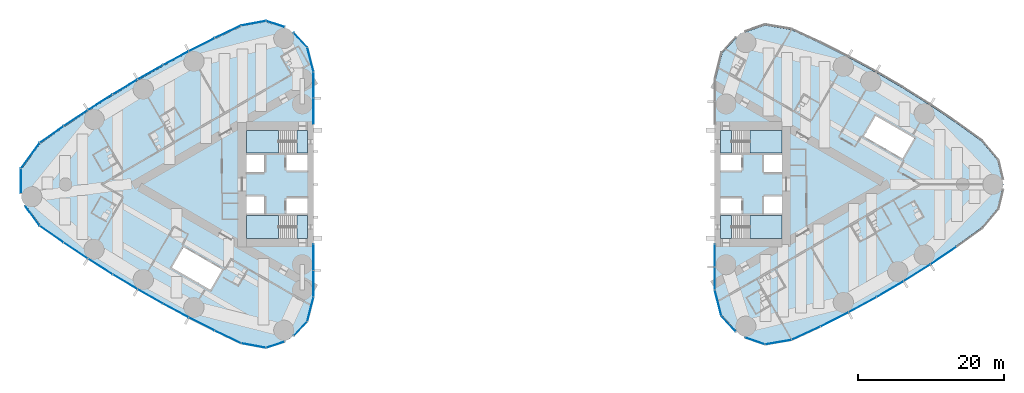
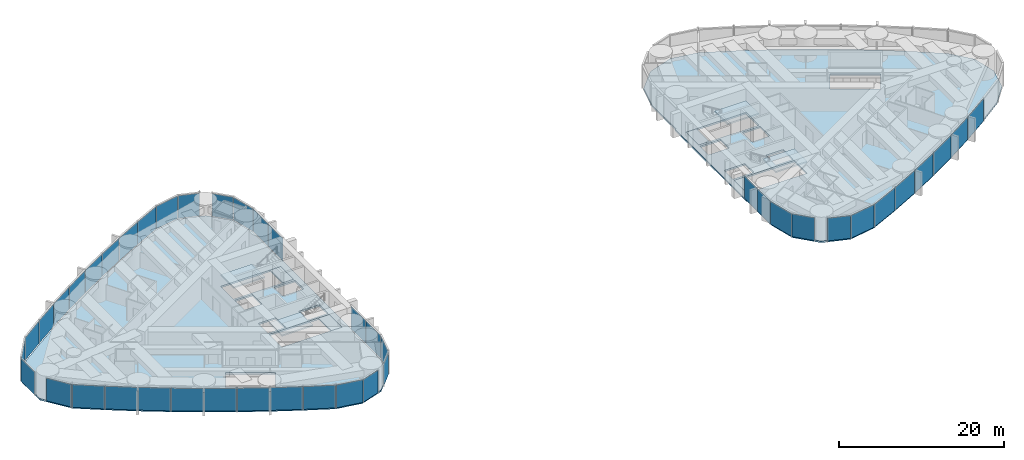
# One storey, part 10 of 19: 43 plates, 10 slabs, 10 elements without a shape of their own.
"""IFC4 building model written with IfcOpenShell, lengths in metres."""

from ifc_helpers import new_model, si_unit, direction, frame, origin, origin_2d, place, context, subcontext, project, spatial, polyline, rectangle, outline, extrude, material, layer, layer_set, type_object, element, aggregate, save


model = new_model("IFC4")

# Units and contexts
model_context = context("Model", 3, precision=1e-05, world=origin(), true_north=direction((0.0, 1.0)))
body_context = subcontext(model_context, "Body", "Model", "MODEL_VIEW")
ifc_project = project(units=[si_unit("LENGTHUNIT", "METRE"), si_unit("AREAUNIT", "SQUARE_METRE"), si_unit("VOLUMEUNIT", "CUBIC_METRE"), si_unit("PLANEANGLEUNIT", "RADIAN"), si_unit("MASSUNIT", "GRAM", prefix="KILO")], contexts=[model_context])

# Site, building, storey
site_placement = place(None, origin())
site = spatial("IfcSite", under=ifc_project, at=site_placement, CompositionType="ELEMENT")
building_placement = place(site_placement, origin())
building = spatial("IfcBuilding", under=site, at=building_placement, Name="Lancet Gate Hotel", CompositionType="ELEMENT")
storey_placement = place(building_placement, frame((0.0, 0.0, 177.300048828125)))
storey = spatial("IfcBuildingStorey", under=building, at=storey_placement, Name="L47", CompositionType="ELEMENT", Elevation=177.300048828125)

# Slabs
ifc_material_1 = material(Name="Concrete C50/60", Category="concrete")
ifc_layer_1 = layer(ifc_material_1, 0.25)
ifc_layer_set_1 = layer_set([ifc_layer_1], Name="Floor slab 250")
slab_type_1 = type_object("IfcSlabType", Name="Floor slab 250", PredefinedType="FLOOR", material=ifc_layer_set_1)
slab_1_placement = place(storey_placement, frame((0.0, 0.0, -0.25)))
element("IfcSlab", 1, at=slab_1_placement, inside=storey, type_object=slab_type_1, Name="T1 L47 floor slab", PredefinedType="FLOOR", context=body_context, shape_type="SweptSolid", body=[
    extrude(outline(polyline([(-27.5, 8.60009765625), (-27.6201171875, 8.60009765625), (-27.6201171875, 15.408203125), (-28.46923828125, 18.7265625), (-30.797607421875, 21.217529296875), (-34.0361328125, 22.283935546875), (-37.403564453125, 21.660400390625), (-40.996826171875, 19.9453125), (-44.561767578125, 18.139404296875), (-48.0830078125, 16.250244140625), (-51.558837890625, 14.27880859375), (-54.987548828125, 12.22607421875), (-58.366943359375, 10.09326171875), (-61.695068359375, 7.881591796875), (-64.955322265625, 5.602783203125), (-67.49560546875, 2.138427734375), (-67.49560546875, -2.138427734375), (-64.955322265625, -5.602783203125), (-61.695068359375, -7.881591796875), (-58.366943359375, -10.09326171875), (-54.987548828125, -12.22607421875), (-51.558837890625, -14.27880859375), (-48.0830078125, -16.250244140625), (-44.561767578125, -18.139404296875), (-40.996826171875, -19.9453125), (-37.403564453125, -21.660400390625), (-34.0361328125, -22.283935546875), (-30.797607421875, -21.217529296875), (-28.46923828125, -18.7265625), (-27.6201171875, -15.408203125), (-27.6201171875, -8.60009765625), (-27.5, -8.60009765625), (-27.5, -8.199951171875), (-27.5, 8.199951171875), (-27.5, 8.60009765625)]), holes=[polyline([(-36.699951171875, 7.39990234375), (-36.699951171875, 4.300048828125), (-28.300048828125, 4.300048828125), (-28.300048828125, 7.39990234375), (-36.699951171875, 7.39990234375)]), polyline([(-28.300048828125, 4.0), (-31.199951171875, 4.0), (-31.199951171875, 1.89990234375), (-28.300048828125, 1.89990234375), (-28.300048828125, 4.0)]), polyline([(-34.25, 4.0), (-36.699951171875, 4.0), (-36.699951171875, 1.64990234375), (-34.25, 1.64990234375), (-34.25, 4.0)]), polyline([(-36.699951171875, -1.64990234375), (-36.699951171875, -4.0), (-34.25, -4.0), (-34.25, -1.64990234375), (-36.699951171875, -1.64990234375)]), polyline([(-28.300048828125, -1.89990234375), (-31.199951171875, -1.89990234375), (-31.199951171875, -4.0), (-28.300048828125, -4.0), (-28.300048828125, -1.89990234375)]), polyline([(-28.300048828125, -4.300048828125), (-36.699951171875, -4.300048828125), (-36.699951171875, -7.39990234375), (-28.300048828125, -7.39990234375), (-28.300048828125, -4.300048828125)]), polyline([(-45.319091796875, -8.631103515625), (-46.9189453125, -11.402099609375), (-41.635986328125, -14.451904296875), (-40.035888671875, -11.680908203125), (-45.319091796875, -8.631103515625)])]), origin(), (0.0, 0.0, 1.0), 0.25),
])
slab_2_placement = place(storey_placement, frame((0.0, 0.0, -0.25)))
element("IfcSlab", 2, at=slab_2_placement, inside=storey, type_object=slab_type_1, Name="T2 L47 floor slab", PredefinedType="FLOOR", context=body_context, shape_type="SweptSolid", body=[
    extrude(outline(polyline([(27.5, -8.60009765625), (27.6201171875, -8.60009765625), (27.6201171875, -14.450439453125), (28.517822265625, -17.9853515625), (30.98291015625, -20.65185546875), (34.421875, -21.819091796875), (38.01513671875, -21.201171875), (41.9296875, -19.383056640625), (45.796875, -17.435302734375), (49.6005859375, -15.36572265625), (53.336669921875, -13.1767578125), (57.00146484375, -10.87060546875), (60.591552734375, -8.44921875), (64.092041015625, -5.9228515625), (66.283447265625, -3.307373046875), (67.06640625, 0.0), (66.283447265625, 3.307373046875), (64.092041015625, 5.9228515625), (60.591552734375, 8.44921875), (57.00146484375, 10.87060546875), (53.336669921875, 13.1767578125), (49.6005859375, 15.36572265625), (45.796875, 17.435302734375), (41.9296875, 19.383056640625), (38.01513671875, 21.201171875), (34.421875, 21.819091796875), (30.98291015625, 20.65185546875), (28.517822265625, 17.9853515625), (27.6201171875, 14.450439453125), (27.6201171875, 8.60009765625), (27.5, 8.60009765625), (27.5, 8.199951171875), (27.5, -8.199951171875), (27.5, -8.60009765625)]), holes=[polyline([(36.699951171875, -7.39990234375), (36.699951171875, -4.300048828125), (28.300048828125, -4.300048828125), (28.300048828125, -7.39990234375), (36.699951171875, -7.39990234375)]), polyline([(28.300048828125, -4.0), (31.199951171875, -4.0), (31.199951171875, -1.89990234375), (28.300048828125, -1.89990234375), (28.300048828125, -4.0)]), polyline([(34.25, -4.0), (36.699951171875, -4.0), (36.699951171875, -1.64990234375), (34.25, -1.64990234375), (34.25, -4.0)]), polyline([(36.699951171875, 1.64990234375), (36.699951171875, 4.0), (34.25, 4.0), (34.25, 1.64990234375), (36.699951171875, 1.64990234375)]), polyline([(28.300048828125, 1.89990234375), (31.199951171875, 1.89990234375), (31.199951171875, 4.0), (28.300048828125, 4.0), (28.300048828125, 1.89990234375)]), polyline([(28.300048828125, 4.300048828125), (36.699951171875, 4.300048828125), (36.699951171875, 7.39990234375), (28.300048828125, 7.39990234375), (28.300048828125, 4.300048828125)]), polyline([(53.242919921875, 3.555908203125), (54.843017578125, 6.326904296875), (49.56103515625, 9.376953125), (47.9609375, 6.60595703125), (53.242919921875, 3.555908203125)])]), origin(), (0.0, 0.0, 1.0), 0.25),
])

# Stair, slabs
ifc_material_2 = material(Name="Exit stair 20 risers 1500")
stair_type = type_object("IfcStairType", Name="Exit stair 20 risers 1500", PredefinedType="HALF_TURN_STAIR", material=ifc_material_2)
stair_1_placement = place(storey_placement, origin())
stair_1 = element("IfcStair", 3, at=stair_1_placement, inside=storey, type_object=stair_type, Name="T1 stair 1 L47", PredefinedType="HALF_TURN_STAIR")
ifc_material_3 = material(Name="Concrete C40/50", Category="concrete")
ifc_layer_2 = layer(ifc_material_3, 0.199951171875)
ifc_layer_set_2 = layer_set([ifc_layer_2], Name="Stair landing 200")
slab_type_2 = type_object("IfcSlabType", Name="Stair landing 200", PredefinedType="LANDING", material=ifc_layer_set_2)
slab_3_placement = place(storey_placement, frame((0.0, 0.0, -0.199951171875)))
slab_3 = element("IfcSlab", 4, at=slab_3_placement, type_object=slab_type_2, Name="ST1 landing 1", PredefinedType="LANDING", context=body_context, shape_type="SweptSolid", body=[
    extrude(outline(polyline([(-28.300048828125, 7.39990234375), (-29.800048828125, 7.39990234375), (-29.800048828125, 4.300048828125), (-28.300048828125, 4.300048828125), (-28.300048828125, 7.39990234375)])), origin(), (0.0, 0.0, 1.0), 0.199951171875),
])
slab_4_placement = place(storey_placement, frame((0.0, 0.0, 1.550048828125)))
slab_4 = element("IfcSlab", 5, at=slab_4_placement, type_object=slab_type_2, Name="ST1 landing 2", PredefinedType="LANDING", context=body_context, shape_type="SweptSolid", body=[
    extrude(outline(polyline([(-32.320068359375, 7.39990234375), (-36.699951171875, 7.39990234375), (-36.699951171875, 4.300048828125), (-32.320068359375, 4.300048828125), (-32.320068359375, 7.39990234375)])), origin(), (0.0, 0.0, 1.0), 0.199951171875),
])
aggregate(stair_1, [slab_3, slab_4])

stair_2_placement = place(storey_placement, origin())
stair_2 = element("IfcStair", 6, at=stair_2_placement, inside=storey, type_object=stair_type, Name="T1 stair 2 L47", PredefinedType="HALF_TURN_STAIR")
slab_5_placement = place(storey_placement, frame((0.0, 0.0, -0.199951171875)))
slab_5 = element("IfcSlab", 7, at=slab_5_placement, type_object=slab_type_2, Name="ST2 landing 1", PredefinedType="LANDING", context=body_context, shape_type="SweptSolid", body=[
    extrude(outline(polyline([(-28.300048828125, -4.300048828125), (-29.800048828125, -4.300048828125), (-29.800048828125, -7.39990234375), (-28.300048828125, -7.39990234375), (-28.300048828125, -4.300048828125)])), origin(), (0.0, 0.0, 1.0), 0.199951171875),
])
slab_6_placement = place(storey_placement, frame((0.0, 0.0, 1.550048828125)))
slab_6 = element("IfcSlab", 8, at=slab_6_placement, type_object=slab_type_2, Name="ST2 landing 2", PredefinedType="LANDING", context=body_context, shape_type="SweptSolid", body=[
    extrude(outline(polyline([(-32.320068359375, -4.300048828125), (-36.699951171875, -4.300048828125), (-36.699951171875, -7.39990234375), (-32.320068359375, -7.39990234375), (-32.320068359375, -4.300048828125)])), origin(), (0.0, 0.0, 1.0), 0.199951171875),
])
aggregate(stair_2, [slab_5, slab_6])

stair_3_placement = place(storey_placement, origin())
stair_3 = element("IfcStair", 9, at=stair_3_placement, inside=storey, type_object=stair_type, Name="T2 stair 1 L47", PredefinedType="HALF_TURN_STAIR")
slab_7_placement = place(storey_placement, frame((0.0, 0.0, -0.199951171875)))
slab_7 = element("IfcSlab", 10, at=slab_7_placement, type_object=slab_type_2, Name="ST3 landing 1", PredefinedType="LANDING", context=body_context, shape_type="SweptSolid", body=[
    extrude(outline(polyline([(28.300048828125, -7.39990234375), (29.800048828125, -7.39990234375), (29.800048828125, -4.300048828125), (28.300048828125, -4.300048828125), (28.300048828125, -7.39990234375)])), origin(), (0.0, 0.0, 1.0), 0.199951171875),
])
slab_8_placement = place(storey_placement, frame((0.0, 0.0, 1.550048828125)))
slab_8 = element("IfcSlab", 11, at=slab_8_placement, type_object=slab_type_2, Name="ST3 landing 2", PredefinedType="LANDING", context=body_context, shape_type="SweptSolid", body=[
    extrude(outline(polyline([(32.320068359375, -7.39990234375), (36.699951171875, -7.39990234375), (36.699951171875, -4.300048828125), (32.320068359375, -4.300048828125), (32.320068359375, -7.39990234375)])), origin(), (0.0, 0.0, 1.0), 0.199951171875),
])
aggregate(stair_3, [slab_7, slab_8])

stair_4_placement = place(storey_placement, origin())
stair_4 = element("IfcStair", 12, at=stair_4_placement, inside=storey, type_object=stair_type, Name="T2 stair 2 L47", PredefinedType="HALF_TURN_STAIR")
slab_9_placement = place(storey_placement, frame((0.0, 0.0, -0.199951171875)))
slab_9 = element("IfcSlab", 13, at=slab_9_placement, type_object=slab_type_2, Name="ST4 landing 1", PredefinedType="LANDING", context=body_context, shape_type="SweptSolid", body=[
    extrude(outline(polyline([(28.300048828125, 4.300048828125), (29.800048828125, 4.300048828125), (29.800048828125, 7.39990234375), (28.300048828125, 7.39990234375), (28.300048828125, 4.300048828125)])), origin(), (0.0, 0.0, 1.0), 0.199951171875),
])
slab_10_placement = place(storey_placement, frame((0.0, 0.0, 1.550048828125)))
slab_10 = element("IfcSlab", 14, at=slab_10_placement, type_object=slab_type_2, Name="ST4 landing 2", PredefinedType="LANDING", context=body_context, shape_type="SweptSolid", body=[
    extrude(outline(polyline([(32.320068359375, 4.300048828125), (36.699951171875, 4.300048828125), (36.699951171875, 7.39990234375), (32.320068359375, 7.39990234375), (32.320068359375, 4.300048828125)])), origin(), (0.0, 0.0, 1.0), 0.199951171875),
])
aggregate(stair_4, [slab_9, slab_10])

# Curtain wall, plates
ifc_material_4 = material(Name="Aluminium curtain wall", Category="aluminium")
curtain_wall_type = type_object("IfcCurtainWallType", Name="Tower unitised curtain wall", PredefinedType="USERDEFINED", material=ifc_material_4)
curtain_wall_1_placement = place(storey_placement, origin())
curtain_wall_1 = element("IfcCurtainWall", 15, at=curtain_wall_1_placement, inside=storey, type_object=curtain_wall_type, Name="T1 L47 curtain wall 1", ObjectType="UNITISED CURTAIN WALL", PredefinedType="USERDEFINED")
ifc_material_5 = material(Name="Glass double glazed unit 8-16-6", Category="glass")
ifc_layer_3 = layer(ifc_material_5, 0.030029296875)
ifc_layer_set_3 = layer_set([ifc_layer_3], Name="Vision panel double glazed")
plate_type = type_object("IfcPlateType", Name="Vision panel double glazed", PredefinedType="CURTAIN_PANEL", material=ifc_layer_set_3)
plate_1_placement = place(storey_placement, frame((-27.5, 10.005859375, 0.0), z_axis=(0.0, 0.0, 1.0), x_axis=(0.0, 1.0, 0.0)))
plate_1 = element("IfcPlate", 16, at=plate_1_placement, type_object=plate_type, Name="T1 L47 curtain wall 1 panel 1", PredefinedType="CURTAIN_PANEL", context=body_context, shape_type="SweptSolid", body=[
    extrude(rectangle(XDim=3.546630859375, YDim=0.030029296875, at=origin_2d()), origin(), (0.0, 0.0, 1.0), 3.35009765625),
])
plate_2_placement = place(storey_placement, frame((-27.5, 13.617431640625, 0.0), z_axis=(0.0, 0.0, 1.0), x_axis=(0.0, 1.0, 0.0)))
plate_2 = element("IfcPlate", 17, at=plate_2_placement, type_object=plate_type, Name="T1 L47 curtain wall 1 panel 2", PredefinedType="CURTAIN_PANEL", context=body_context, shape_type="SweptSolid", body=[
    extrude(rectangle(XDim=3.546630859375, YDim=0.030029296875, at=origin_2d()), origin(), (0.0, 0.0, 1.0), 3.35009765625),
])
plate_3_placement = place(storey_placement, frame((-27.930419921875, 17.104736328125, 0.0), z_axis=(0.0, 0.0, 1.0), x_axis=(-0.247936754654, 0.968776220647, 0.0)))
plate_3 = element("IfcPlate", 18, at=plate_3_placement, type_object=plate_type, Name="T1 L47 curtain wall 1 panel 3", PredefinedType="CURTAIN_PANEL", context=body_context, shape_type="SweptSolid", body=[
    extrude(rectangle(XDim=3.406005859375, YDim=0.030029296875, at=origin_2d()), origin(), (0.0, 0.0, 1.0), 3.35009765625),
])
plate_4_placement = place(storey_placement, frame((-29.28564453125, 19.77587890625, 0.0), z_axis=(0.0, 0.0, 1.0), x_axis=(-0.682844962172, 0.730563315282, 0.0)))
plate_4 = element("IfcPlate", 19, at=plate_4_placement, type_object=plate_type, Name="T1 L47 curtain wall 1 panel 4", PredefinedType="CURTAIN_PANEL", context=body_context, shape_type="SweptSolid", body=[
    extrude(rectangle(XDim=2.64453125, YDim=0.030029296875, at=origin_2d()), origin(), (0.0, 0.0, 1.0), 3.35009765625),
])
aggregate(curtain_wall_1, [plate_1, plate_2, plate_3, plate_4])

curtain_wall_2_placement = place(storey_placement, origin())
curtain_wall_2 = element("IfcCurtainWall", 20, at=curtain_wall_2_placement, inside=storey, type_object=curtain_wall_type, Name="T1 L47 curtain wall 2", ObjectType="UNITISED CURTAIN WALL", PredefinedType="USERDEFINED")
plate_5_placement = place(storey_placement, frame((-32.740234375, 21.983642578125, 0.0), z_axis=(0.0, 0.0, 1.0), x_axis=(-0.949848055084, 0.312711803827, 0.0)))
plate_5 = element("IfcPlate", 21, at=plate_5_placement, type_object=plate_type, Name="T1 L47 curtain wall 2 panel 1", PredefinedType="CURTAIN_PANEL", context=body_context, shape_type="SweptSolid", body=[
    extrude(rectangle(XDim=2.64599609375, YDim=0.030029296875, at=origin_2d()), origin(), (0.0, 0.0, 1.0), 3.35009765625),
])
plate_6_placement = place(storey_placement, frame((-35.734375, 22.091552734375, 0.0), z_axis=(0.0, 0.0, 1.0), x_axis=(-0.983292499426, -0.182032581075, 0.0)))
plate_6 = element("IfcPlate", 22, at=plate_6_placement, type_object=plate_type, Name="T1 L47 curtain wall 2 panel 2", PredefinedType="CURTAIN_PANEL", context=body_context, shape_type="SweptSolid", body=[
    extrude(rectangle(XDim=3.406005859375, YDim=0.030029296875, at=origin_2d()), origin(), (0.0, 0.0, 1.0), 3.35009765625),
])
plate_7_placement = place(storey_placement, frame((-39.245361328125, 20.914306640625, 0.0), z_axis=(0.0, 0.0, 1.0), x_axis=(-0.902453530018, -0.430787216799, 0.0)))
plate_7 = element("IfcPlate", 23, at=plate_7_placement, type_object=plate_type, Name="T1 L47 curtain wall 2 panel 3", PredefinedType="CURTAIN_PANEL", context=body_context, shape_type="SweptSolid", body=[
    extrude(rectangle(XDim=3.933837890625, YDim=0.030029296875, at=origin_2d()), origin(), (0.0, 0.0, 1.0), 3.35009765625),
])
plate_8_placement = place(storey_placement, frame((-42.83349609375, 19.1494140625, 0.0), z_axis=(0.0, 0.0, 1.0), x_axis=(-0.892071119911, -0.451895028762, 0.0)))
plate_8 = element("IfcPlate", 24, at=plate_8_placement, type_object=plate_type, Name="T1 L47 curtain wall 2 panel 4", PredefinedType="CURTAIN_PANEL", context=body_context, shape_type="SweptSolid", body=[
    extrude(rectangle(XDim=3.933837890625, YDim=0.030029296875, at=origin_2d()), origin(), (0.0, 0.0, 1.0), 3.35009765625),
])
plate_9_placement = place(storey_placement, frame((-46.379150390625, 17.300537109375, 0.0), z_axis=(0.0, 0.0, 1.0), x_axis=(-0.881195096384, -0.472752791751, 0.0)))
plate_9 = element("IfcPlate", 25, at=plate_9_placement, type_object=plate_type, Name="T1 L47 curtain wall 2 panel 5", PredefinedType="CURTAIN_PANEL", context=body_context, shape_type="SweptSolid", body=[
    extrude(rectangle(XDim=3.933837890625, YDim=0.030029296875, at=origin_2d()), origin(), (0.0, 0.0, 1.0), 3.35009765625),
])
plate_10_placement = place(storey_placement, frame((-49.880126953125, 15.368896484375, 0.0), z_axis=(0.0, 0.0, 1.0), x_axis=(-0.869831477496, -0.493348964484, 0.0)))
plate_10 = element("IfcPlate", 26, at=plate_10_placement, type_object=plate_type, Name="T1 L47 curtain wall 2 panel 6", PredefinedType="CURTAIN_PANEL", context=body_context, shape_type="SweptSolid", body=[
    extrude(rectangle(XDim=3.933837890625, YDim=0.030029296875, at=origin_2d()), origin(), (0.0, 0.0, 1.0), 3.35009765625),
])
plate_11_placement = place(storey_placement, frame((-53.3349609375, 13.35546875, 0.0), z_axis=(0.0, 0.0, 1.0), x_axis=(-0.857986551132, -0.51367215038, 0.0)))
plate_11 = element("IfcPlate", 27, at=plate_11_placement, type_object=plate_type, Name="T1 L47 curtain wall 2 panel 7", PredefinedType="CURTAIN_PANEL", context=body_context, shape_type="SweptSolid", body=[
    extrude(rectangle(XDim=3.933837890625, YDim=0.030029296875, at=origin_2d()), origin(), (0.0, 0.0, 1.0), 3.35009765625),
])
plate_12_placement = place(storey_placement, frame((-56.7412109375, 11.26123046875, 0.0), z_axis=(0.0, 0.0, 1.0), x_axis=(-0.845666871497, -0.533711103925, 0.0)))
plate_12 = element("IfcPlate", 28, at=plate_12_placement, type_object=plate_type, Name="T1 L47 curtain wall 2 panel 8", PredefinedType="CURTAIN_PANEL", context=body_context, shape_type="SweptSolid", body=[
    extrude(rectangle(XDim=3.933837890625, YDim=0.030029296875, at=origin_2d()), origin(), (0.0, 0.0, 1.0), 3.35009765625),
])
plate_13_placement = place(storey_placement, frame((-60.097412109375, 9.08740234375, 0.0), z_axis=(0.0, 0.0, 1.0), x_axis=(-0.832879255498, -0.553454736867, 0.0)))
plate_13 = element("IfcPlate", 29, at=plate_13_placement, type_object=plate_type, Name="T1 L47 curtain wall 2 panel 9", PredefinedType="CURTAIN_PANEL", context=body_context, shape_type="SweptSolid", body=[
    extrude(rectangle(XDim=3.933837890625, YDim=0.030029296875, at=origin_2d()), origin(), (0.0, 0.0, 1.0), 3.35009765625),
])
plate_14_placement = place(storey_placement, frame((-63.401611328125, 6.835205078125, 0.0), z_axis=(0.0, 0.0, 1.0), x_axis=(-0.819630778943, -0.572892124409, 0.0)))
plate_14 = element("IfcPlate", 30, at=plate_14_placement, type_object=plate_type, Name="T1 L47 curtain wall 2 panel 10", PredefinedType="CURTAIN_PANEL", context=body_context, shape_type="SweptSolid", body=[
    extrude(rectangle(XDim=3.933837890625, YDim=0.030029296875, at=origin_2d()), origin(), (0.0, 0.0, 1.0), 3.35009765625),
])
plate_15_placement = place(storey_placement, frame((-66.328125, 3.933837890625, 0.0), z_axis=(0.0, 0.0, 1.0), x_axis=(-0.591299785592, -0.806451835858, 0.0)))
plate_15 = element("IfcPlate", 31, at=plate_15_placement, type_object=plate_type, Name="T1 L47 curtain wall 2 panel 11", PredefinedType="CURTAIN_PANEL", context=body_context, shape_type="SweptSolid", body=[
    extrude(rectangle(XDim=4.290283203125, YDim=0.030029296875, at=origin_2d()), origin(), (0.0, 0.0, 1.0), 3.35009765625),
])
plate_16_placement = place(storey_placement, frame((-67.61572265625, 0.478515625, 0.0), z_axis=(0.0, 0.0, 1.0), x_axis=(0.0, -1.0, 0.0)))
plate_16 = element("IfcPlate", 32, at=plate_16_placement, type_object=plate_type, Name="T1 L47 curtain wall 2 panel 12", PredefinedType="CURTAIN_PANEL", context=body_context, shape_type="SweptSolid", body=[
    extrude(rectangle(XDim=3.333251953125, YDim=0.030029296875, at=origin_2d()), origin(), (0.0, 0.0, 1.0), 3.35009765625),
])
aggregate(curtain_wall_2, [plate_5, plate_6, plate_7, plate_8, plate_9, plate_10, plate_11, plate_12, plate_13, plate_14, plate_15, plate_16])

curtain_wall_3_placement = place(storey_placement, origin())
curtain_wall_3 = element("IfcCurtainWall", 33, at=curtain_wall_3_placement, inside=storey, type_object=curtain_wall_type, Name="T1 L47 curtain wall 3", ObjectType="UNITISED CURTAIN WALL", PredefinedType="USERDEFINED")
plate_17_placement = place(storey_placement, frame((-66.04541015625, -4.3193359375, 0.0), z_axis=(0.0, 0.0, 1.0), x_axis=(0.591299785592, -0.806451835858, 0.0)))
plate_17 = element("IfcPlate", 34, at=plate_17_placement, type_object=plate_type, Name="T1 L47 curtain wall 3 panel 1", PredefinedType="CURTAIN_PANEL", context=body_context, shape_type="SweptSolid", body=[
    extrude(rectangle(XDim=3.334228515625, YDim=0.030029296875, at=origin_2d()), origin(), (0.0, 0.0, 1.0), 3.35009765625),
])
plate_18_placement = place(storey_placement, frame((-63.401611328125, -6.835205078125, 0.0), z_axis=(0.0, 0.0, 1.0), x_axis=(0.819630778943, -0.572892124409, 0.0)))
plate_18 = element("IfcPlate", 35, at=plate_18_placement, type_object=plate_type, Name="T1 L47 curtain wall 3 panel 2", PredefinedType="CURTAIN_PANEL", context=body_context, shape_type="SweptSolid", body=[
    extrude(rectangle(XDim=3.933837890625, YDim=0.030029296875, at=origin_2d()), origin(), (0.0, 0.0, 1.0), 3.35009765625),
])
plate_19_placement = place(storey_placement, frame((-60.097412109375, -9.08740234375, 0.0), z_axis=(0.0, 0.0, 1.0), x_axis=(0.832879255498, -0.553454736867, 0.0)))
plate_19 = element("IfcPlate", 36, at=plate_19_placement, type_object=plate_type, Name="T1 L47 curtain wall 3 panel 3", PredefinedType="CURTAIN_PANEL", context=body_context, shape_type="SweptSolid", body=[
    extrude(rectangle(XDim=3.933837890625, YDim=0.030029296875, at=origin_2d()), origin(), (0.0, 0.0, 1.0), 3.35009765625),
])
plate_20_placement = place(storey_placement, frame((-56.7412109375, -11.26123046875, 0.0), z_axis=(0.0, 0.0, 1.0), x_axis=(0.845666871497, -0.533711103925, 0.0)))
plate_20 = element("IfcPlate", 37, at=plate_20_placement, type_object=plate_type, Name="T1 L47 curtain wall 3 panel 4", PredefinedType="CURTAIN_PANEL", context=body_context, shape_type="SweptSolid", body=[
    extrude(rectangle(XDim=3.933837890625, YDim=0.030029296875, at=origin_2d()), origin(), (0.0, 0.0, 1.0), 3.35009765625),
])
plate_21_placement = place(storey_placement, frame((-53.3349609375, -13.35546875, 0.0), z_axis=(0.0, 0.0, 1.0), x_axis=(0.857986551132, -0.51367215038, 0.0)))
plate_21 = element("IfcPlate", 38, at=plate_21_placement, type_object=plate_type, Name="T1 L47 curtain wall 3 panel 5", PredefinedType="CURTAIN_PANEL", context=body_context, shape_type="SweptSolid", body=[
    extrude(rectangle(XDim=3.933837890625, YDim=0.030029296875, at=origin_2d()), origin(), (0.0, 0.0, 1.0), 3.35009765625),
])
plate_22_placement = place(storey_placement, frame((-49.880126953125, -15.368896484375, 0.0), z_axis=(0.0, 0.0, 1.0), x_axis=(0.869831477496, -0.493348964484, 0.0)))
plate_22 = element("IfcPlate", 39, at=plate_22_placement, type_object=plate_type, Name="T1 L47 curtain wall 3 panel 6", PredefinedType="CURTAIN_PANEL", context=body_context, shape_type="SweptSolid", body=[
    extrude(rectangle(XDim=3.933837890625, YDim=0.030029296875, at=origin_2d()), origin(), (0.0, 0.0, 1.0), 3.35009765625),
])
plate_23_placement = place(storey_placement, frame((-46.379150390625, -17.300537109375, 0.0), z_axis=(0.0, 0.0, 1.0), x_axis=(0.881195096384, -0.472752791751, 0.0)))
plate_23 = element("IfcPlate", 40, at=plate_23_placement, type_object=plate_type, Name="T1 L47 curtain wall 3 panel 7", PredefinedType="CURTAIN_PANEL", context=body_context, shape_type="SweptSolid", body=[
    extrude(rectangle(XDim=3.933837890625, YDim=0.030029296875, at=origin_2d()), origin(), (0.0, 0.0, 1.0), 3.35009765625),
])
plate_24_placement = place(storey_placement, frame((-42.83349609375, -19.1494140625, 0.0), z_axis=(0.0, 0.0, 1.0), x_axis=(0.892071119911, -0.451895028762, 0.0)))
plate_24 = element("IfcPlate", 41, at=plate_24_placement, type_object=plate_type, Name="T1 L47 curtain wall 3 panel 8", PredefinedType="CURTAIN_PANEL", context=body_context, shape_type="SweptSolid", body=[
    extrude(rectangle(XDim=3.933837890625, YDim=0.030029296875, at=origin_2d()), origin(), (0.0, 0.0, 1.0), 3.35009765625),
])
plate_25_placement = place(storey_placement, frame((-39.245361328125, -20.914306640625, 0.0), z_axis=(0.0, 0.0, 1.0), x_axis=(0.902453530018, -0.430787216799, 0.0)))
plate_25 = element("IfcPlate", 42, at=plate_25_placement, type_object=plate_type, Name="T1 L47 curtain wall 3 panel 9", PredefinedType="CURTAIN_PANEL", context=body_context, shape_type="SweptSolid", body=[
    extrude(rectangle(XDim=3.933837890625, YDim=0.030029296875, at=origin_2d()), origin(), (0.0, 0.0, 1.0), 3.35009765625),
])
plate_26_placement = place(storey_placement, frame((-35.734375, -22.091552734375, 0.0), z_axis=(0.0, 0.0, 1.0), x_axis=(0.983292499426, -0.182032581075, 0.0)))
plate_26 = element("IfcPlate", 43, at=plate_26_placement, type_object=plate_type, Name="T1 L47 curtain wall 3 panel 10", PredefinedType="CURTAIN_PANEL", context=body_context, shape_type="SweptSolid", body=[
    extrude(rectangle(XDim=3.406005859375, YDim=0.030029296875, at=origin_2d()), origin(), (0.0, 0.0, 1.0), 3.35009765625),
])
plate_27_placement = place(storey_placement, frame((-32.740234375, -21.983642578125, 0.0), z_axis=(0.0, 0.0, 1.0), x_axis=(0.949848055084, 0.312711803827, 0.0)))
plate_27 = element("IfcPlate", 44, at=plate_27_placement, type_object=plate_type, Name="T1 L47 curtain wall 3 panel 11", PredefinedType="CURTAIN_PANEL", context=body_context, shape_type="SweptSolid", body=[
    extrude(rectangle(XDim=2.64599609375, YDim=0.030029296875, at=origin_2d()), origin(), (0.0, 0.0, 1.0), 3.35009765625),
])
aggregate(curtain_wall_3, [plate_17, plate_18, plate_19, plate_20, plate_21, plate_22, plate_23, plate_24, plate_25, plate_26, plate_27])

curtain_wall_4_placement = place(storey_placement, origin())
curtain_wall_4 = element("IfcCurtainWall", 45, at=curtain_wall_4_placement, inside=storey, type_object=curtain_wall_type, Name="T1 L47 curtain wall 4", ObjectType="UNITISED CURTAIN WALL", PredefinedType="USERDEFINED")
plate_28_placement = place(storey_placement, frame((-29.28564453125, -19.77587890625, 0.0), z_axis=(0.0, 0.0, 1.0), x_axis=(0.682844962172, 0.730563315282, 0.0)))
plate_28 = element("IfcPlate", 46, at=plate_28_placement, type_object=plate_type, Name="T1 L47 curtain wall 4 panel 1", PredefinedType="CURTAIN_PANEL", context=body_context, shape_type="SweptSolid", body=[
    extrude(rectangle(XDim=2.64453125, YDim=0.030029296875, at=origin_2d()), origin(), (0.0, 0.0, 1.0), 3.35009765625),
])
plate_29_placement = place(storey_placement, frame((-27.930419921875, -17.104736328125, 0.0), z_axis=(0.0, 0.0, 1.0), x_axis=(0.247936754654, 0.968776220647, 0.0)))
plate_29 = element("IfcPlate", 47, at=plate_29_placement, type_object=plate_type, Name="T1 L47 curtain wall 4 panel 2", PredefinedType="CURTAIN_PANEL", context=body_context, shape_type="SweptSolid", body=[
    extrude(rectangle(XDim=3.406005859375, YDim=0.030029296875, at=origin_2d()), origin(), (0.0, 0.0, 1.0), 3.35009765625),
])
plate_30_placement = place(storey_placement, frame((-27.5, -13.617431640625, 0.0), z_axis=(0.0, 0.0, 1.0), x_axis=(0.0, 1.0, 0.0)))
plate_30 = element("IfcPlate", 48, at=plate_30_placement, type_object=plate_type, Name="T1 L47 curtain wall 4 panel 3", PredefinedType="CURTAIN_PANEL", context=body_context, shape_type="SweptSolid", body=[
    extrude(rectangle(XDim=3.546630859375, YDim=0.030029296875, at=origin_2d()), origin(), (0.0, 0.0, 1.0), 3.35009765625),
])
plate_31_placement = place(storey_placement, frame((-27.5, -10.005859375, 0.0), z_axis=(0.0, 0.0, 1.0), x_axis=(0.0, 1.0, 0.0)))
plate_31 = element("IfcPlate", 49, at=plate_31_placement, type_object=plate_type, Name="T1 L47 curtain wall 4 panel 4", PredefinedType="CURTAIN_PANEL", context=body_context, shape_type="SweptSolid", body=[
    extrude(rectangle(XDim=3.546630859375, YDim=0.030029296875, at=origin_2d()), origin(), (0.0, 0.0, 1.0), 3.35009765625),
])
aggregate(curtain_wall_4, [plate_28, plate_29, plate_30, plate_31])

curtain_wall_5_placement = place(storey_placement, origin())
curtain_wall_5 = element("IfcCurtainWall", 50, at=curtain_wall_5_placement, inside=storey, type_object=curtain_wall_type, Name="T2 L47 curtain wall 1", ObjectType="UNITISED CURTAIN WALL", PredefinedType="USERDEFINED")
plate_32_placement = place(storey_placement, frame((27.5, -9.766357421875, 0.0), z_axis=(0.0, 0.0, 1.0), x_axis=(0.0, -1.0, 0.0)))
plate_32 = element("IfcPlate", 51, at=plate_32_placement, type_object=plate_type, Name="T2 L47 curtain wall 1 panel 1", PredefinedType="CURTAIN_PANEL", context=body_context, shape_type="SweptSolid", body=[
    extrude(rectangle(XDim=3.06787109375, YDim=0.030029296875, at=origin_2d()), origin(), (0.0, 0.0, 1.0), 3.35009765625),
])
plate_33_placement = place(storey_placement, frame((27.5, -12.899169921875, 0.0), z_axis=(0.0, 0.0, 1.0), x_axis=(0.0, -1.0, 0.0)))
plate_33 = element("IfcPlate", 52, at=plate_33_placement, type_object=plate_type, Name="T2 L47 curtain wall 1 panel 2", PredefinedType="CURTAIN_PANEL", context=body_context, shape_type="SweptSolid", body=[
    extrude(rectangle(XDim=3.06787109375, YDim=0.030029296875, at=origin_2d()), origin(), (0.0, 0.0, 1.0), 3.35009765625),
])
plate_34_placement = place(storey_placement, frame((27.95458984375, -16.2548828125, 0.0), z_axis=(0.0, 0.0, 1.0), x_axis=(0.246166705764, -0.969227503207, 0.0)))
plate_34 = element("IfcPlate", 53, at=plate_34_placement, type_object=plate_type, Name="T2 L47 curtain wall 1 panel 3", PredefinedType="CURTAIN_PANEL", context=body_context, shape_type="SweptSolid", body=[
    extrude(rectangle(XDim=3.62744140625, YDim=0.030029296875, at=origin_2d()), origin(), (0.0, 0.0, 1.0), 3.35009765625),
])
plate_35_placement = place(storey_placement, frame((29.4052734375, -19.122314453125, 0.0), z_axis=(0.0, 0.0, 1.0), x_axis=(0.67883123083, -0.734294327943, 0.0)))
plate_35 = element("IfcPlate", 54, at=plate_35_placement, type_object=plate_type, Name="T2 L47 curtain wall 1 panel 4", PredefinedType="CURTAIN_PANEL", context=body_context, shape_type="SweptSolid", body=[
    extrude(rectangle(XDim=2.87060546875, YDim=0.030029296875, at=origin_2d()), origin(), (0.0, 0.0, 1.0), 3.35009765625),
])
aggregate(curtain_wall_5, [plate_32, plate_33, plate_34, plate_35])

curtain_wall_6_placement = place(storey_placement, origin())
curtain_wall_6 = element("IfcCurtainWall", 55, at=curtain_wall_6_placement, inside=storey, type_object=curtain_wall_type, Name="T2 L47 curtain wall 2", ObjectType="UNITISED CURTAIN WALL", PredefinedType="USERDEFINED")
plate_36_placement = place(storey_placement, frame((33.02197265625, -21.470703125, 0.0), z_axis=(0.0, 0.0, 1.0), x_axis=(0.946952368511, -0.321373943827, 0.0)))
plate_36 = element("IfcPlate", 56, at=plate_36_placement, type_object=plate_type, Name="T2 L47 curtain wall 2 panel 1", PredefinedType="CURTAIN_PANEL", context=body_context, shape_type="SweptSolid", body=[
    extrude(rectangle(XDim=2.871337890625, YDim=0.030029296875, at=origin_2d()), origin(), (0.0, 0.0, 1.0), 3.35009765625),
])
plate_37_placement = place(storey_placement, frame((36.231689453125, -21.629638671875, 0.0), z_axis=(0.0, 0.0, 1.0), x_axis=(0.985539649572, 0.169444973729, 0.0)))
plate_37 = element("IfcPlate", 57, at=plate_37_placement, type_object=plate_type, Name="T2 L47 curtain wall 2 panel 2", PredefinedType="CURTAIN_PANEL", context=body_context, shape_type="SweptSolid", body=[
    extrude(rectangle(XDim=3.62744140625, YDim=0.030029296875, at=origin_2d()), origin(), (0.0, 0.0, 1.0), 3.35009765625),
])
plate_38_placement = place(storey_placement, frame((40.0166015625, -20.40380859375, 0.0), z_axis=(0.0, 0.0, 1.0), x_axis=(0.906934888522, 0.421270824982, 0.0)))
plate_38 = element("IfcPlate", 58, at=plate_38_placement, type_object=plate_type, Name="T2 L47 curtain wall 2 panel 3", PredefinedType="CURTAIN_PANEL", context=body_context, shape_type="SweptSolid", body=[
    extrude(rectangle(XDim=4.26904296875, YDim=0.030029296875, at=origin_2d()), origin(), (0.0, 0.0, 1.0), 3.35009765625),
])
plate_39_placement = place(storey_placement, frame((43.917236328125, -18.516357421875, 0.0), z_axis=(0.0, 0.0, 1.0), x_axis=(0.893121465596, 0.449815570752, 0.0)))
plate_39 = element("IfcPlate", 59, at=plate_39_placement, type_object=plate_type, Name="T2 L47 curtain wall 2 panel 4", PredefinedType="CURTAIN_PANEL", context=body_context, shape_type="SweptSolid", body=[
    extrude(rectangle(XDim=4.26904296875, YDim=0.030029296875, at=origin_2d()), origin(), (0.0, 0.0, 1.0), 3.35009765625),
])
plate_40_placement = place(storey_placement, frame((47.756103515625, -16.505859375, 0.0), z_axis=(0.0, 0.0, 1.0), x_axis=(0.878409907967, 0.477907976063, 0.0)))
plate_40 = element("IfcPlate", 60, at=plate_40_placement, type_object=plate_type, Name="T2 L47 curtain wall 2 panel 5", PredefinedType="CURTAIN_PANEL", context=body_context, shape_type="SweptSolid", body=[
    extrude(rectangle(XDim=4.26904296875, YDim=0.030029296875, at=origin_2d()), origin(), (0.0, 0.0, 1.0), 3.35009765625),
])
plate_41_placement = place(storey_placement, frame((51.529296875, -14.374755859375, 0.0), z_axis=(0.0, 0.0, 1.0), x_axis=(0.862815009772, 0.505519790822, 0.0)))
plate_41 = element("IfcPlate", 61, at=plate_41_placement, type_object=plate_type, Name="T2 L47 curtain wall 2 panel 6", PredefinedType="CURTAIN_PANEL", context=body_context, shape_type="SweptSolid", body=[
    extrude(rectangle(XDim=4.26904296875, YDim=0.030029296875, at=origin_2d()), origin(), (0.0, 0.0, 1.0), 3.35009765625),
])
plate_42_placement = place(storey_placement, frame((55.233154296875, -12.125244140625, 0.0), z_axis=(0.0, 0.0, 1.0), x_axis=(0.846352453444, 0.532623248225, 0.0)))
plate_42 = element("IfcPlate", 62, at=plate_42_placement, type_object=plate_type, Name="T2 L47 curtain wall 2 panel 7", PredefinedType="CURTAIN_PANEL", context=body_context, shape_type="SweptSolid", body=[
    extrude(rectangle(XDim=4.26904296875, YDim=0.030029296875, at=origin_2d()), origin(), (0.0, 0.0, 1.0), 3.35009765625),
])
plate_43_placement = place(storey_placement, frame((58.863525390625, -9.75927734375, 0.0), z_axis=(0.0, 0.0, 1.0), x_axis=(0.829038793948, 0.559191092677, 0.0)))
plate_43 = element("IfcPlate", 63, at=plate_43_placement, type_object=plate_type, Name="T2 L47 curtain wall 2 panel 8", PredefinedType="CURTAIN_PANEL", context=body_context, shape_type="SweptSolid", body=[
    extrude(rectangle(XDim=4.26904296875, YDim=0.030029296875, at=origin_2d()), origin(), (0.0, 0.0, 1.0), 3.35009765625),
])
aggregate(curtain_wall_6, [plate_36, plate_37, plate_38, plate_39, plate_40, plate_41, plate_42, plate_43])

save(model, "model.ifc")
